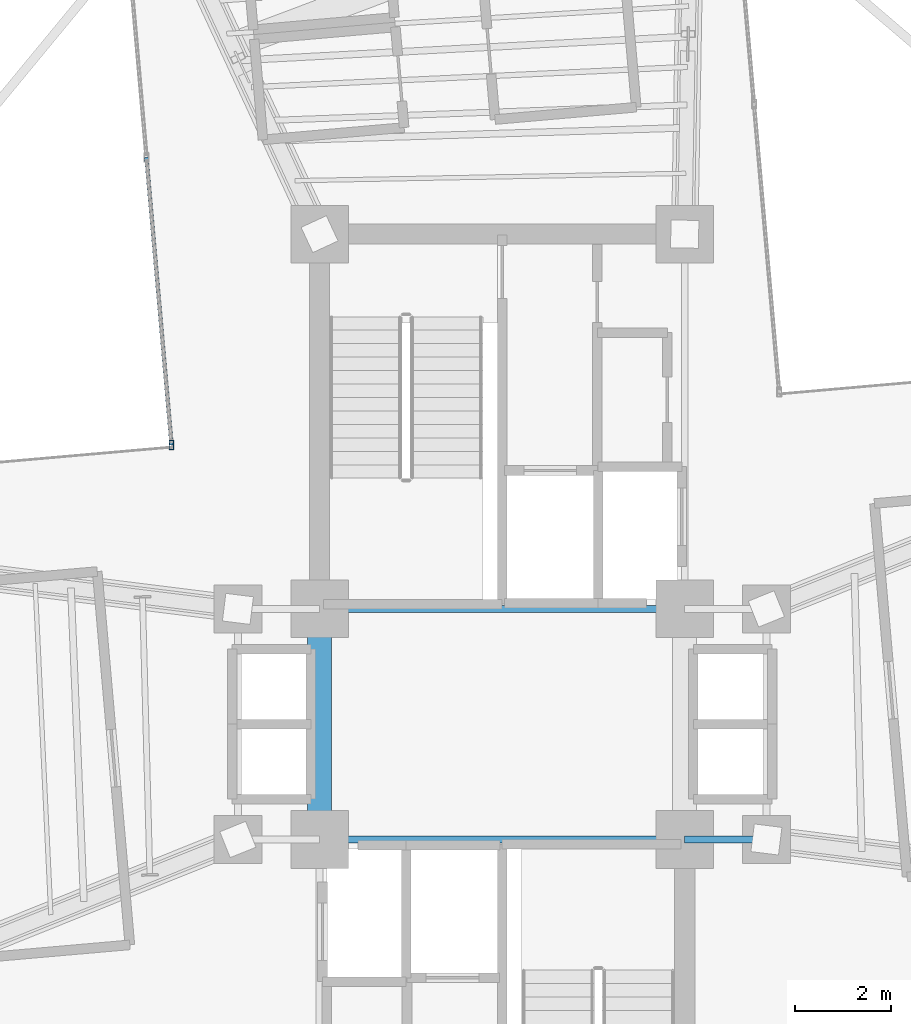
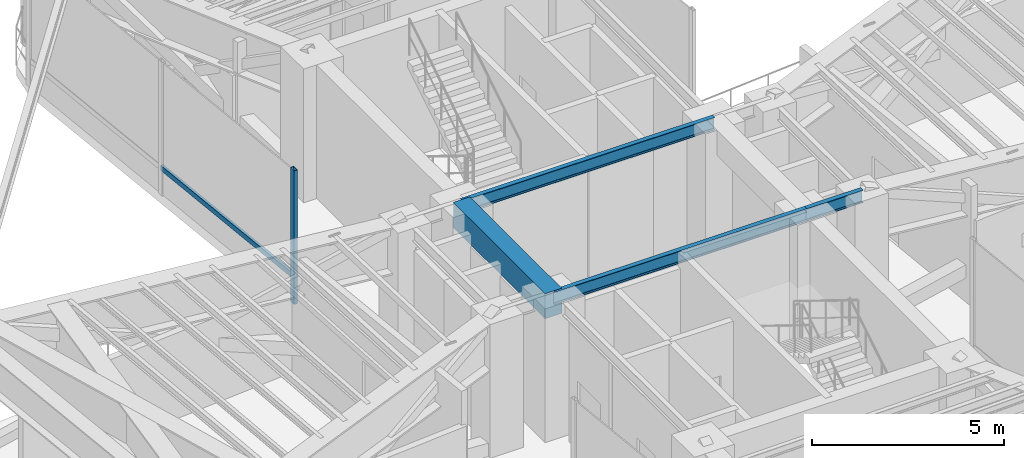
# One storey, part 6 of 17: 4 beams, 2 members, 1 element without a shape of its own.
"""IFC4 building model written with IfcOpenShell, lengths in metres."""

from ifc_helpers import new_model, si_unit, direction, frame, origin, origin_2d, place, context, subcontext, project, spatial, rectangle, hollow_rectangle, i_section, extrude, source, transform, mapped, material, material_profile, profile_set, type_object, element, aggregate, save


model = new_model("IFC4")

# Units and contexts
model_context = context("Model", 3, precision=1e-05, world=origin(), true_north=direction((0.0, 1.0)))
body_context = subcontext(model_context, "Body", "Model", "MODEL_VIEW")
ifc_project = project(units=[si_unit("LENGTHUNIT", "METRE"), si_unit("AREAUNIT", "SQUARE_METRE"), si_unit("VOLUMEUNIT", "CUBIC_METRE"), si_unit("PLANEANGLEUNIT", "RADIAN"), si_unit("MASSUNIT", "GRAM", prefix="KILO")], contexts=[model_context])

# Site, building, storey
site_placement = place(None, origin())
site = spatial("IfcSite", under=ifc_project, at=site_placement, CompositionType="ELEMENT")
building_placement = place(site_placement, origin())
building = spatial("IfcBuilding", under=site, at=building_placement, Name="Sahyath Konkavel Grand Hotel", CompositionType="ELEMENT")
storey_placement = place(building_placement, frame((0.0, 0.0, 202.0)))
storey = spatial("IfcBuildingStorey", under=building, at=storey_placement, Name="L56", CompositionType="ELEMENT", Elevation=202.0)

# Beams
ifc_material_1 = material(Name="Steel E350", Category="steel")
ifc_material_profile_1 = material_profile(ifc_material_1, i_section(OverallWidth=0.139892578125, OverallDepth=0.39990234375, WebThickness=0.0087890625, FlangeThickness=0.01611328125, FilletRadius=0.013916015625, at=origin_2d()), Name="ISMB 400")
ifc_profile_set_1 = profile_set([ifc_material_profile_1], Name="Steel E350")
beam_type_1 = type_object("IfcBeamType", Name="BM-ISMB400", PredefinedType="BEAM", material=ifc_profile_set_1)
shared_shape_1 = source(origin(), body_context, "Body", "SweptSolid", [
    extrude(i_section(OverallWidth=0.139892578125, OverallDepth=0.39990234375, WebThickness=0.0087890625, FlangeThickness=0.01611328125, FilletRadius=0.013916015625, at=origin_2d()), origin(), (0.0, 0.0, 1.0), 7.60009765625),
])
for number, where, z_axis, x_axis, name in (
    (1, (-3.800048828125, 2.39990234375, 4.06005859375), (1.0, 0.0, 0.0), (0.0, 1.0, 0.0), "str:bm:L56:NC-S"),
    (2, (-3.800048828125, -2.39990234375, 4.06005859375), (1.0, 0.0, 0.0), (0.0, 1.0, 0.0), "str:bm:L56:SC-N"),
):
    element("IfcBeam", number, at=place(storey_placement, frame(where, z_axis=z_axis, x_axis=x_axis)), inside=storey, type_object=beam_type_1, Name=name, PredefinedType="BEAM", context=body_context, shape_type="MappedRepresentation", body=[
        mapped(shared_shape_1, transform((0.0, 0.0, 0.0), scale=1.0)),
    ])
shared_shape_2 = source(origin(), body_context, "Body", "SweptSolid", [
    extrude(i_section(OverallWidth=0.139892578125, OverallDepth=0.39990234375, WebThickness=0.0087890625, FlangeThickness=0.01611328125, FilletRadius=0.013916015625, at=origin_2d()), origin(), (0.0, 0.0, 1.0), 1.699951171875),
])
beam_1_placement = place(storey_placement, frame((3.800048828125, -2.39990234375, 4.06005859375), z_axis=(1.0, 0.0, 0.0), x_axis=(0.0, 1.0, 0.0)))
element("IfcBeam", 3, at=beam_1_placement, inside=storey, type_object=beam_type_1, Name="str:bm:L56:HB-SE", PredefinedType="BEAM", context=body_context, shape_type="MappedRepresentation", body=[
    mapped(shared_shape_2, transform((0.0, 0.0, 0.0), scale=1.0)),
])
ifc_material_2 = material(Name="Concrete C50/60", Category="concrete")
ifc_material_profile_2 = material_profile(ifc_material_2, rectangle(XDim=0.5, YDim=0.800048828125, at=origin_2d()), Name="RC 500x800")
ifc_profile_set_2 = profile_set([ifc_material_profile_2], Name="Concrete C50/60")
beam_type_2 = type_object("IfcBeamType", Name="BM-CB500x800", PredefinedType="LINTEL", material=ifc_profile_set_2)
shared_shape_3 = source(origin(), body_context, "Body", "SweptSolid", [
    extrude(rectangle(XDim=0.5, YDim=0.800048828125, at=origin_2d()), origin(), (0.0, 0.0, 1.0), 4.7998046875),
])
beam_2_placement = place(storey_placement, frame((-3.800048828125, -2.39990234375, 3.860107421875), z_axis=(0.0, 1.0, 0.0), x_axis=(-1.0, 0.0, 0.0)))
element("IfcBeam", 4, at=beam_2_placement, inside=storey, type_object=beam_type_2, Name="L56 Split-Core Coupling Beam West", PredefinedType="LINTEL", context=body_context, shape_type="MappedRepresentation", body=[
    mapped(shared_shape_3, transform((0.0, 0.0, 0.0), scale=1.0)),
])

# Curtain wall, members
ifc_material_3 = material(Name="Anodised Bronze Aluminium & Low-E Glazing", Category="aluminium")
curtain_wall_type = type_object("IfcCurtainWallType", Name="CW-SKYLOBBY", PredefinedType="NOTDEFINED", material=ifc_material_3)
curtain_wall_placement = place(storey_placement, origin())
curtain_wall = element("IfcCurtainWall", 5, at=curtain_wall_placement, inside=storey, type_object=curtain_wall_type, Name="L56 Unitised Curtain Wall RF15", PredefinedType="NOTDEFINED")
ifc_material_4 = material(Name="Anodised Bronze Aluminium", Category="aluminium")
ifc_material_profile_3 = material_profile(ifc_material_4, hollow_rectangle(XDim=0.10009765625, YDim=0.199951171875, WallThickness=0.008056640625, at=origin_2d()), Name="RHS 200x100x8")
ifc_profile_set_3 = profile_set([ifc_material_profile_3], Name="Anodised Bronze Aluminium")
member_type_1 = type_object("IfcMemberType", Name="CW-MUL-200", PredefinedType="MULLION", material=ifc_profile_set_3)
shared_shape_4 = source(origin(), body_context, "Body", "SweptSolid", [
    extrude(hollow_rectangle(XDim=0.10009765625, YDim=0.199951171875, WallThickness=0.008056640625, at=origin_2d()), origin(), (0.0, 0.0, 1.0), 4.260009765625),
])
member_1_placement = place(storey_placement, frame((-6.8828125, 5.812255859375, 0.0), z_axis=(0.0, 0.0, 1.0), x_axis=(1.0, 0.0, 0.0)))
member_1 = element("IfcMember", 6, at=member_1_placement, type_object=member_type_1, Name="L56 Curtain Wall Mullion RF15-2", PredefinedType="MULLION", context=body_context, shape_type="MappedRepresentation", body=[
    mapped(shared_shape_4, transform((0.0, 0.0, 0.0), scale=1.0)),
])
ifc_material_profile_4 = material_profile(ifc_material_4, hollow_rectangle(XDim=0.080078125, YDim=0.159912109375, WallThickness=0.006103515625, at=origin_2d()), Name="RHS 160x80x6")
ifc_profile_set_4 = profile_set([ifc_material_profile_4], Name="Anodised Bronze Aluminium")
member_type_2 = type_object("IfcMemberType", Name="CW-TRN-160", PredefinedType="USERDEFINED", material=ifc_profile_set_4)
shared_shape_5 = source(origin(), body_context, "Body", "SweptSolid", [
    extrude(hollow_rectangle(XDim=0.080078125, YDim=0.159912109375, WallThickness=0.006103515625, at=origin_2d()), origin(), (0.0, 0.0, 1.0), 6.010009765625),
])
member_2_placement = place(storey_placement, frame((-7.406494140625, 11.79931640625, 0.85009765625), z_axis=(0.087136210597, -0.996196406741, 0.0), x_axis=(0.996196406741, 0.087136210597, 0.0)))
member_2 = element("IfcMember", 7, at=member_2_placement, type_object=member_type_2, Name="L56 Curtain Wall Transom RF15-1-spandrel", ObjectType="TRANSOM", PredefinedType="USERDEFINED", context=body_context, shape_type="MappedRepresentation", body=[
    mapped(shared_shape_5, transform((0.0, 0.0, 0.0), scale=1.0)),
])
aggregate(curtain_wall, [member_1, member_2])

save(model, "model.ifc")
